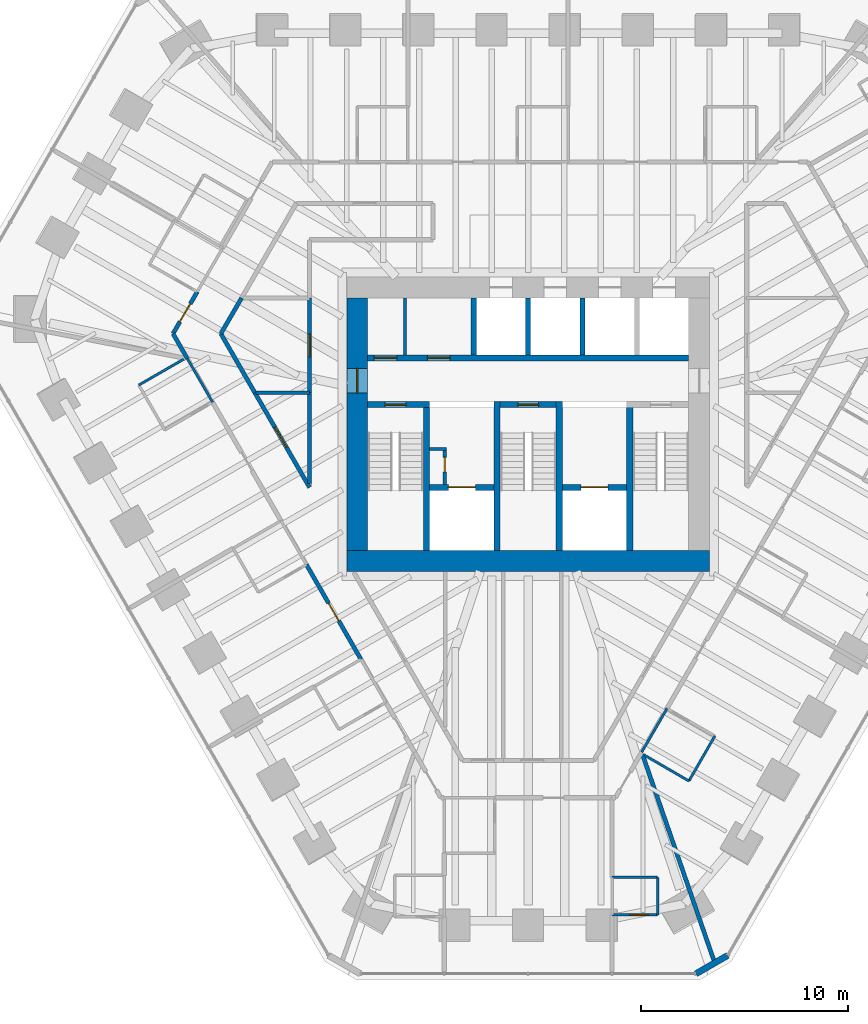
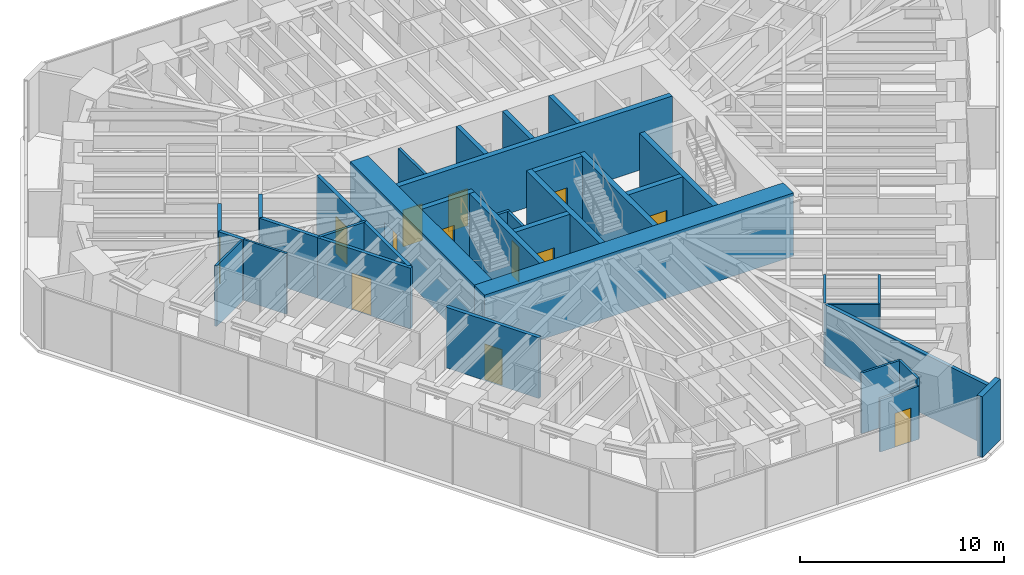
# One storey, part 12 of 16: 36 walls, 13 doors, 13 openings.
"""IFC4 building model written with IfcOpenShell, lengths in metres."""

from ifc_helpers import new_model, si_unit, direction, frame, frame_2d, origin, place, context, subcontext, project, spatial, rectangle, extrude, material, layer, layer_set, type_object, element, fill, save


model = new_model("IFC4")

# Units and contexts
model_context = context("Model", 3, precision=1e-05, world=origin(), true_north=direction((0.0, 1.0)))
body_context = subcontext(model_context, "Body", "Model", "MODEL_VIEW")
ifc_project = project(units=[si_unit("LENGTHUNIT", "METRE"), si_unit("AREAUNIT", "SQUARE_METRE"), si_unit("VOLUMEUNIT", "CUBIC_METRE"), si_unit("PLANEANGLEUNIT", "RADIAN"), si_unit("MASSUNIT", "GRAM", prefix="KILO")], contexts=[model_context])

# Site, building, storey
site_placement = place(None, origin())
site = spatial("IfcSite", under=ifc_project, at=site_placement, CompositionType="ELEMENT")
building_placement = place(site_placement, origin())
building = spatial("IfcBuilding", under=site, at=building_placement, Name="Sandreach Pilgrim Tower", CompositionType="ELEMENT")
storey_placement = place(building_placement, frame((0.0, 0.0, 247.800048828125)))
storey = spatial("IfcBuildingStorey", under=building, at=storey_placement, Name="L62", CompositionType="ELEMENT", Elevation=247.800048828125)

# Walls
ifc_material_1 = material(Name="Gypsum board on steel studs", Category="steel")
ifc_layer_1 = layer(ifc_material_1, 0.14990234375)
ifc_layer_set_1 = layer_set([ifc_layer_1], Name="Back of house wall 150")
wall_type_1 = type_object("IfcWallType", Name="Back of house wall 150", PredefinedType="PARTITIONING", material=ifc_layer_set_1)
wall_1_placement = place(storey_placement, frame((-10.550048828125, 1.52001953125, 0.0), z_axis=(0.0, 0.0, 1.0), x_axis=(-1.0, 0.0, 0.0)))
element("IfcWall", 1, at=wall_1_placement, inside=storey, type_object=wall_type_1, Name="Back of house wall L62-035", PredefinedType="PARTITIONING", context=body_context, shape_type="SweptSolid", body=[
    extrude(rectangle(XDim=2.5849609375, YDim=0.14990234375, at=frame_2d((1.29248046875, 0.0))), origin(), (0.0, 0.0, 1.0), 3.639892578125),
])
wall_2_placement = place(storey_placement, frame((-5.949951171875, 3.35009765625, 0.0), z_axis=(0.0, 0.0, 1.0), x_axis=(0.0, 1.0, 0.0)))
element("IfcWall", 2, at=wall_2_placement, inside=storey, type_object=wall_type_1, Name="Core room partition L62 1", PredefinedType="PARTITIONING", context=body_context, shape_type="SweptSolid", body=[
    extrude(rectangle(XDim=2.75, YDim=0.14990234375, at=frame_2d((1.375, 0.0))), origin(), (0.0, 0.0, 1.0), 3.639892578125),
])
ifc_material_2 = material(Name="Moisture-resistant gypsum board on steel studs", Category="steel")
ifc_layer_2 = layer(ifc_material_2, 0.1201171875)
ifc_layer_set_2 = layer_set([ifc_layer_2], Name="Bathroom partition 120")
wall_type_2 = type_object("IfcWallType", Name="Bathroom partition 120", PredefinedType="PARTITIONING", material=ifc_layer_set_2)
wall_3_placement = place(storey_placement, frame((-16.623779296875, 3.1376953125, 0.0), z_axis=(0.0, 0.0, 1.0), x_axis=(-0.866525185869, -0.499133351175, 0.0)))
element("IfcWall", 3, at=wall_3_placement, inside=storey, type_object=wall_type_2, Name="Bathroom partition L62-012", PredefinedType="PARTITIONING", context=body_context, shape_type="SweptSolid", body=[
    extrude(rectangle(XDim=2.5, YDim=0.1201171875, at=frame_2d((1.25, 0.0))), origin(), (0.0, 0.0, 1.0), 3.639892578125),
])
wall_4_placement = place(storey_placement, frame((-16.449951171875, 3.169921875, 0.0), z_axis=(0.0, 0.0, 1.0), x_axis=(0.500566296323, -0.865698205488, 0.0)))
element("IfcWall", 4, at=wall_4_placement, inside=storey, type_object=wall_type_2, Name="Bathroom partition L62-013", PredefinedType="PARTITIONING", context=body_context, shape_type="SweptSolid", body=[
    extrude(rectangle(XDim=2.437255859375, YDim=0.1201171875, at=frame_2d((1.21875, 0.0))), origin(), (0.0, 0.0, 1.0), 3.639892578125),
])

# Wall, opening, door
wall_5_placement = place(storey_placement, frame((4.050048828125, -23.679931640625, 0.0), z_axis=(0.0, 0.0, 1.0), x_axis=(1.0, 0.0, 0.0)))
wall_5 = element("IfcWall", 5, at=wall_5_placement, inside=storey, type_object=wall_type_2, Name="Bathroom partition L62-082", PredefinedType="PARTITIONING", context=body_context, shape_type="SweptSolid", body=[
    extrude(rectangle(XDim=2.199951171875, YDim=0.1201171875, at=frame_2d((1.10009765625, 0.0))), origin(), (0.0, 0.0, 1.0), 3.185302734375),
])
opening_1_placement = place(wall_5_placement, frame((0.85009765625, 0.0, 0.0)))
opening_1 = element("IfcOpeningElement", 6, at=opening_1_placement, cuts=wall_5, Name="Opening D09-10B", PredefinedType="OPENING", context=body_context, shape_type="SweptSolid", body=[
    extrude(rectangle(XDim=0.89990234375, YDim=2.030029296875, at=frame_2d((0.449951171875, 1.01513671875))), frame((0.0, 0.06005859375, 0.0), z_axis=(0.0, -1.0, 0.0), x_axis=(1.0, 0.0, 0.0)), (0.0, 0.0, 1.0), 0.1201171875),
])
ifc_material_3 = material(Name="Timber door, steel frame", Category="steel")
door_type_1 = type_object("IfcDoorType", Name="Bathroom door", OperationType="SINGLE_SWING_LEFT", PredefinedType="DOOR", material=ifc_material_3)
door_1_placement = place(opening_1_placement, origin())
door_1 = element("IfcDoor", 7, at=door_1_placement, inside=storey, type_object=door_type_1, Name="Door 6210B", OperationType="SINGLE_SWING_RIGHT", OverallHeight=2.030029296875, OverallWidth=0.89990234375, PredefinedType="DOOR", context=body_context, shape_type="SweptSolid", body=[
    extrude(rectangle(XDim=0.89990234375, YDim=2.030029296875, at=frame_2d((0.449951171875, 1.01513671875))), frame((0.0, 0.02490234375, 0.0), z_axis=(0.0, -1.0, 0.0), x_axis=(1.0, 0.0, 0.0)), (0.0, 0.0, 1.0), 0.050048828125),
])
fill(opening_1, door_1)

# Walls
wall_6_placement = place(storey_placement, frame((5.47998046875, -15.830078125, 0.0), z_axis=(0.0, 0.0, 1.0), x_axis=(0.501296828005, 0.865275384044, 0.0)))
element("IfcWall", 8, at=wall_6_placement, inside=storey, type_object=wall_type_2, Name="Bathroom partition L62-086", PredefinedType="PARTITIONING", context=body_context, shape_type="SweptSolid", body=[
    extrude(rectangle(XDim=2.4375, YDim=0.1201171875, at=frame_2d((1.21875, 0.0))), origin(), (0.0, 0.0, 1.0), 3.639892578125),
])
wall_7_placement = place(storey_placement, frame((5.615234375, -15.97509765625, 0.0), z_axis=(0.0, 0.0, 1.0), x_axis=(0.864873056518, -0.501990633487, 0.0)))
element("IfcWall", 9, at=wall_7_placement, inside=storey, type_object=wall_type_2, Name="Bathroom partition L62-088", PredefinedType="PARTITIONING", context=body_context, shape_type="SweptSolid", body=[
    extrude(rectangle(XDim=2.47998046875, YDim=0.1201171875, at=frame_2d((1.239990234375, 0.0))), origin(), (0.0, 0.0, 1.0), 3.639892578125),
])
wall_8_placement = place(storey_placement, frame((6.25, -23.679931640625, 0.0), z_axis=(0.0, 0.0, 1.0), x_axis=(0.0, 1.0, 0.0)))
element("IfcWall", 10, at=wall_8_placement, inside=storey, type_object=wall_type_2, Name="Bathroom partition L62-089", PredefinedType="PARTITIONING", context=body_context, shape_type="SweptSolid", body=[
    extrude(rectangle(XDim=1.809814453125, YDim=0.1201171875, at=frame_2d((0.90478515625, 0.0))), origin(), (0.0, 0.0, 1.0), 3.639892578125),
])
wall_9_placement = place(storey_placement, frame((6.25, -21.8701171875, 0.0), z_axis=(0.0, 0.0, 1.0), x_axis=(-1.0, 0.0, 0.0)))
element("IfcWall", 11, at=wall_9_placement, inside=storey, type_object=wall_type_2, Name="Bathroom partition L62-090", PredefinedType="PARTITIONING", context=body_context, shape_type="SweptSolid", body=[
    extrude(rectangle(XDim=2.199951171875, YDim=0.1201171875, at=frame_2d((1.10009765625, 0.0))), origin(), (0.0, 0.0, 1.0), 3.639892578125),
])
wall_10_placement = place(storey_placement, frame((7.760009765625, -17.219970703125, 0.0), z_axis=(0.0, 0.0, 1.0), x_axis=(0.499159685399, 0.866510016372, 0.0)))
element("IfcWall", 12, at=wall_10_placement, inside=storey, type_object=wall_type_2, Name="Bathroom partition L62-092", PredefinedType="PARTITIONING", context=body_context, shape_type="SweptSolid", body=[
    extrude(rectangle(XDim=2.504150390625, YDim=0.1201171875, at=frame_2d((1.251953125, 0.0))), origin(), (0.0, 0.0, 1.0), 3.639892578125),
])
ifc_material_4 = material(Name="Concrete 10000 psi", Category="concrete")
ifc_layer_3 = layer(ifc_material_4, 0.300048828125)
ifc_layer_set_3 = layer_set([ifc_layer_3], Name="Core inner wall 300")
wall_type_3 = type_object("IfcWallType", Name="Core inner wall 300", PredefinedType="SHEAR", material=ifc_layer_set_3)
for number, where, z_axis, x_axis, name in (
    (13, (-4.89990234375, -6.10009765625, 0.0), (0.0, 0.0, 1.0), (0.0, 1.0, 0.0), "Core wall I0 L62"),
    (14, (-1.5, -6.10009765625, 0.0), (0.0, 0.0, 1.0), (0.0, 1.0, 0.0), "Core wall I1 L62"),
    (15, (1.5, -6.10009765625, 0.0), (0.0, 0.0, 1.0), (0.0, 1.0, 0.0), "Core wall I2 L62"),
    (16, (4.89990234375, -6.10009765625, 0.0), (0.0, 0.0, 1.0), (0.0, 1.0, 0.0), "Core wall I3 L62"),
):
    element("IfcWall", number, at=place(storey_placement, frame(where, z_axis=z_axis, x_axis=x_axis)), inside=storey, type_object=wall_type_3, Name=name, PredefinedType="SHEAR", context=body_context, shape_type="SweptSolid", body=[
        extrude(rectangle(XDim=7.2001953125, YDim=0.300048828125, at=frame_2d((3.60009765625, 0.0))), origin(), (0.0, 0.0, 1.0), 3.800048828125),
    ])

# Wall, opening, door
wall_11_placement = place(storey_placement, frame((-7.75, 0.949951171875, 0.0), z_axis=(0.0, 0.0, 1.0), x_axis=(1.0, 0.0, 0.0)))
wall_11 = element("IfcWall", 17, at=wall_11_placement, inside=storey, type_object=wall_type_3, Name="Core wall SN1 L62", PredefinedType="SHEAR", context=body_context, shape_type="SweptSolid", body=[
    extrude(rectangle(XDim=3.0, YDim=0.300048828125, at=frame_2d((1.5, 0.0))), origin(), (0.0, 0.0, 1.0), 3.800048828125),
])
opening_2_placement = place(wall_11_placement, frame((0.85009765625, 0.0, 0.0)))
opening_2 = element("IfcOpeningElement", 18, at=opening_2_placement, cuts=wall_11, Name="Opening D10S-ST1", PredefinedType="OPENING", context=body_context, shape_type="SweptSolid", body=[
    extrude(rectangle(XDim=1.0, YDim=2.199951171875, at=frame_2d((0.5, 1.10009765625))), frame((0.0, 0.14990234375, 0.0), z_axis=(0.0, -1.0, 0.0), x_axis=(1.0, 0.0, 0.0)), (0.0, 0.0, 1.0), 0.300048828125),
])
ifc_material_5 = material(Name="Steel door and frame", Category="steel")
door_type_2 = type_object("IfcDoorType", Name="Stair door", OperationType="SINGLE_SWING_LEFT", PredefinedType="DOOR", material=ifc_material_5)
door_2_placement = place(opening_2_placement, origin())
door_2 = element("IfcDoor", 19, at=door_2_placement, inside=storey, type_object=door_type_2, Name="Stair door ST1 L62", OperationType="SINGLE_SWING_LEFT", OverallHeight=2.199951171875, OverallWidth=1.0, PredefinedType="DOOR", context=body_context, shape_type="SweptSolid", body=[
    extrude(rectangle(XDim=1.0, YDim=2.199951171875, at=frame_2d((0.5, 1.10009765625))), frame((0.0, 0.02490234375, 0.0), z_axis=(0.0, -1.0, 0.0), x_axis=(1.0, 0.0, 0.0)), (0.0, 0.0, 1.0), 0.050048828125),
])
fill(opening_2, door_2)

wall_12_placement = place(storey_placement, frame((-1.35009765625, 0.949951171875, 0.0), z_axis=(0.0, 0.0, 1.0), x_axis=(1.0, 0.0, 0.0)))
wall_12 = element("IfcWall", 20, at=wall_12_placement, inside=storey, type_object=wall_type_3, Name="Core wall SN3 L62", PredefinedType="SHEAR", context=body_context, shape_type="SweptSolid", body=[
    extrude(rectangle(XDim=2.7001953125, YDim=0.300048828125, at=frame_2d((1.35009765625, 0.0))), origin(), (0.0, 0.0, 1.0), 3.800048828125),
])
opening_3_placement = place(wall_12_placement, frame((0.85009765625, 0.0, 0.0)))
opening_3 = element("IfcOpeningElement", 21, at=opening_3_placement, cuts=wall_12, Name="Opening D10S-ST3", PredefinedType="OPENING", context=body_context, shape_type="SweptSolid", body=[
    extrude(rectangle(XDim=1.0, YDim=2.199951171875, at=frame_2d((0.5, 1.10009765625))), frame((0.0, 0.14990234375, 0.0), z_axis=(0.0, -1.0, 0.0), x_axis=(1.0, 0.0, 0.0)), (0.0, 0.0, 1.0), 0.300048828125),
])
door_3_placement = place(opening_3_placement, origin())
door_3 = element("IfcDoor", 22, at=door_3_placement, inside=storey, type_object=door_type_2, Name="Stair door ST3 L62", OperationType="SINGLE_SWING_LEFT", OverallHeight=2.199951171875, OverallWidth=1.0, PredefinedType="DOOR", context=body_context, shape_type="SweptSolid", body=[
    extrude(rectangle(XDim=1.0, YDim=2.199951171875, at=frame_2d((0.5, 1.10009765625))), frame((0.0, 0.02490234375, 0.0), z_axis=(0.0, -1.0, 0.0), x_axis=(1.0, 0.0, 0.0)), (0.0, 0.0, 1.0), 0.050048828125),
])
fill(opening_3, door_3)

wall_13_placement = place(storey_placement, frame((-4.75, -3.050048828125, 0.0), z_axis=(0.0, 0.0, 1.0), x_axis=(1.0, 0.0, 0.0)))
wall_13 = element("IfcWall", 23, at=wall_13_placement, inside=storey, type_object=wall_type_3, Name="Core wall FL1 L62", PredefinedType="SHEAR", context=body_context, shape_type="SweptSolid", body=[
    extrude(rectangle(XDim=3.10009765625, YDim=0.300048828125, at=frame_2d((1.550048828125, 0.0))), origin(), (0.0, 0.0, 1.0), 3.800048828125),
])
opening_4_placement = place(wall_13_placement, frame((0.89990234375, 0.0, 0.0)))
opening_4 = element("IfcOpeningElement", 24, at=opening_4_placement, cuts=wall_13, Name="Opening LD13", PredefinedType="OPENING", context=body_context, shape_type="SweptSolid", body=[
    extrude(rectangle(XDim=1.300048828125, YDim=2.10009765625, at=frame_2d((0.64990234375, 1.050048828125))), frame((0.0, 0.14990234375, 0.0), z_axis=(0.0, -1.0, 0.0), x_axis=(1.0, 0.0, 0.0)), (0.0, 0.0, 1.0), 0.300048828125),
])
ifc_material_6 = material(Name="Steel door and frame", Category="steel")
door_type_3 = type_object("IfcDoorType", Name="Fire service lift landing door", OperationType="DOUBLE_DOOR_SLIDING", PredefinedType="DOOR", material=ifc_material_6)
door_4_placement = place(opening_4_placement, origin())
door_4 = element("IfcDoor", 25, at=door_4_placement, inside=storey, type_object=door_type_3, Name="Lift landing door FS1 L62", OperationType="DOUBLE_DOOR_SLIDING", OverallHeight=2.10009765625, OverallWidth=1.300048828125, PredefinedType="DOOR", context=body_context, shape_type="SweptSolid", body=[
    extrude(rectangle(XDim=1.300048828125, YDim=2.10009765625, at=frame_2d((0.64990234375, 1.050048828125))), frame((0.0, 0.02490234375, 0.0), z_axis=(0.0, -1.0, 0.0), x_axis=(1.0, 0.0, 0.0)), (0.0, 0.0, 1.0), 0.050048828125),
])
fill(opening_4, door_4)

wall_14_placement = place(storey_placement, frame((1.64990234375, -3.050048828125, 0.0), z_axis=(0.0, 0.0, 1.0), x_axis=(1.0, 0.0, 0.0)))
wall_14 = element("IfcWall", 26, at=wall_14_placement, inside=storey, type_object=wall_type_3, Name="Core wall FL2 L62", PredefinedType="SHEAR", context=body_context, shape_type="SweptSolid", body=[
    extrude(rectangle(XDim=3.10009765625, YDim=0.300048828125, at=frame_2d((1.550048828125, 0.0))), origin(), (0.0, 0.0, 1.0), 3.800048828125),
])
opening_5_placement = place(wall_14_placement, frame((0.89990234375, 0.0, 0.0)))
opening_5 = element("IfcOpeningElement", 27, at=opening_5_placement, cuts=wall_14, Name="Opening LD13", PredefinedType="OPENING", context=body_context, shape_type="SweptSolid", body=[
    extrude(rectangle(XDim=1.300048828125, YDim=2.10009765625, at=frame_2d((0.64990234375, 1.050048828125))), frame((0.0, 0.14990234375, 0.0), z_axis=(0.0, -1.0, 0.0), x_axis=(1.0, 0.0, 0.0)), (0.0, 0.0, 1.0), 0.300048828125),
])
door_5_placement = place(opening_5_placement, origin())
door_5 = element("IfcDoor", 28, at=door_5_placement, inside=storey, type_object=door_type_3, Name="Lift landing door FS2 L62", OperationType="DOUBLE_DOOR_SLIDING", OverallHeight=2.10009765625, OverallWidth=1.300048828125, PredefinedType="DOOR", context=body_context, shape_type="SweptSolid", body=[
    extrude(rectangle(XDim=1.300048828125, YDim=2.10009765625, at=frame_2d((0.64990234375, 1.050048828125))), frame((0.0, 0.02490234375, 0.0), z_axis=(0.0, -1.0, 0.0), x_axis=(1.0, 0.0, 0.0)), (0.0, 0.0, 1.0), 0.050048828125),
])
fill(opening_5, door_5)

# Wall, openings, doors
wall_15_placement = place(storey_placement, frame((-7.75, 3.199951171875, 0.0), z_axis=(0.0, 0.0, 1.0), x_axis=(1.0, 0.0, 0.0)))
wall_15 = element("IfcWall", 29, at=wall_15_placement, inside=storey, type_object=wall_type_3, Name="Core wall PN L62", PredefinedType="SHEAR", context=body_context, shape_type="SweptSolid", body=[
    extrude(rectangle(XDim=15.5, YDim=0.300048828125, at=frame_2d((7.75, 0.0))), origin(), (0.0, 0.0, 1.0), 3.800048828125),
])
opening_6_placement = place(wall_15_placement, frame((0.3125, 0.0, 0.0)))
opening_6 = element("IfcOpeningElement", 30, at=opening_6_placement, cuts=wall_15, Name="Opening D11L", PredefinedType="OPENING", context=body_context, shape_type="SweptSolid", body=[
    extrude(rectangle(XDim=1.10009765625, YDim=2.199951171875, at=frame_2d((0.550048828125, 1.10009765625))), frame((0.0, 0.14990234375, 0.0), z_axis=(0.0, -1.0, 0.0), x_axis=(1.0, 0.0, 0.0)), (0.0, 0.0, 1.0), 0.300048828125),
])
opening_7_placement = place(wall_15_placement, frame((2.887451171875, 0.0, 0.0)))
opening_7 = element("IfcOpeningElement", 31, at=opening_7_placement, cuts=wall_15, Name="Opening D11L", PredefinedType="OPENING", context=body_context, shape_type="SweptSolid", body=[
    extrude(rectangle(XDim=1.10009765625, YDim=2.199951171875, at=frame_2d((0.550048828125, 1.10009765625))), frame((0.0, 0.14990234375, 0.0), z_axis=(0.0, -1.0, 0.0), x_axis=(1.0, 0.0, 0.0)), (0.0, 0.0, 1.0), 0.300048828125),
])
ifc_material_7 = material(Name="Steel door and frame, smoke seals", Category="steel")
door_type_4 = type_object("IfcDoorType", Name="Core room door", OperationType="SINGLE_SWING_LEFT", PredefinedType="DOOR", material=ifc_material_7)
door_6_placement = place(opening_6_placement, origin())
door_6 = element("IfcDoor", 32, at=door_6_placement, inside=storey, type_object=door_type_4, Name="Door linen and housekeeping store 62K1", OperationType="SINGLE_SWING_LEFT", OverallHeight=2.199951171875, OverallWidth=1.10009765625, PredefinedType="DOOR", context=body_context, shape_type="SweptSolid", body=[
    extrude(rectangle(XDim=1.10009765625, YDim=2.199951171875, at=frame_2d((0.550048828125, 1.10009765625))), frame((0.0, 0.02490234375, 0.0), z_axis=(0.0, -1.0, 0.0), x_axis=(1.0, 0.0, 0.0)), (0.0, 0.0, 1.0), 0.050048828125),
])
fill(opening_6, door_6)
door_7_placement = place(opening_7_placement, origin())
door_7 = element("IfcDoor", 33, at=door_7_placement, inside=storey, type_object=door_type_4, Name="Door cleaners store 62K2", OperationType="SINGLE_SWING_LEFT", OverallHeight=2.199951171875, OverallWidth=1.10009765625, PredefinedType="DOOR", context=body_context, shape_type="SweptSolid", body=[
    extrude(rectangle(XDim=1.10009765625, YDim=2.199951171875, at=frame_2d((0.550048828125, 1.10009765625))), frame((0.0, 0.02490234375, 0.0), z_axis=(0.0, -1.0, 0.0), x_axis=(1.0, 0.0, 0.0)), (0.0, 0.0, 1.0), 0.050048828125),
])
fill(opening_7, door_7)

# Wall
ifc_material_8 = material(Name="Concrete 10000 psi", Category="concrete")
ifc_layer_4 = layer(ifc_material_8, 1.0)
ifc_layer_set_4 = layer_set([ifc_layer_4], Name="Core wall 1000")
wall_type_4 = type_object("IfcWallType", Name="Core wall 1000", PredefinedType="SHEAR", material=ifc_layer_set_4)
wall_16_placement = place(storey_placement, frame((-8.75, -6.60009765625, 0.0), z_axis=(0.0, 0.0, 1.0), x_axis=(1.0, 0.0, 0.0)))
element("IfcWall", 34, at=wall_16_placement, inside=storey, type_object=wall_type_4, Name="Core wall S L62", PredefinedType="SHEAR", context=body_context, shape_type="SweptSolid", body=[
    extrude(rectangle(XDim=17.5, YDim=1.0, at=frame_2d((8.75, 0.0))), origin(), (0.0, 0.0, 1.0), 3.800048828125),
])

# Wall, opening, door
wall_17_placement = place(storey_placement, frame((-8.25, -6.10009765625, 0.0), z_axis=(0.0, 0.0, 1.0), x_axis=(0.0, 1.0, 0.0)))
wall_17 = element("IfcWall", 35, at=wall_17_placement, inside=storey, type_object=wall_type_4, Name="Core wall W L62", PredefinedType="SHEAR", context=body_context, shape_type="SweptSolid", body=[
    extrude(rectangle(XDim=12.2001953125, YDim=1.0, at=frame_2d((6.10009765625, 0.0))), origin(), (0.0, 0.0, 1.0), 3.800048828125),
])
opening_8_placement = place(wall_17_placement, frame((7.60009765625, 0.0, 0.0)))
opening_8 = element("IfcOpeningElement", 36, at=opening_8_placement, cuts=wall_17, Name="Opening D12F-W", PredefinedType="OPENING", context=body_context, shape_type="SweptSolid", body=[
    extrude(rectangle(XDim=1.199951171875, YDim=2.199951171875, at=frame_2d((0.60009765625, 1.10009765625))), frame((0.0, 0.5, 0.0), z_axis=(0.0, -1.0, 0.0), x_axis=(1.0, 0.0, 0.0)), (0.0, 0.0, 1.0), 1.0),
])
ifc_material_9 = material(Name="Steel door and frame", Category="steel")
door_type_5 = type_object("IfcDoorType", Name="Fire lobby door", OperationType="SINGLE_SWING_LEFT", PredefinedType="DOOR", material=ifc_material_9)
door_8_placement = place(opening_8_placement, origin())
door_8 = element("IfcDoor", 37, at=door_8_placement, inside=storey, type_object=door_type_5, Name="Fire service lobby door W L62", OperationType="SINGLE_SWING_RIGHT", OverallHeight=2.199951171875, OverallWidth=1.199951171875, PredefinedType="DOOR", context=body_context, shape_type="SweptSolid", body=[
    extrude(rectangle(XDim=1.199951171875, YDim=2.199951171875, at=frame_2d((0.60009765625, 1.10009765625))), frame((0.0, 0.02490234375, 0.0), z_axis=(0.0, -1.0, 0.0), x_axis=(1.0, 0.0, 0.0)), (0.0, 0.0, 1.0), 0.050048828125),
])
fill(opening_8, door_8)

# Wall
ifc_material_10 = material(Name="Gypsum board on steel studs, two layers each side", Category="steel")
ifc_layer_5 = layer(ifc_material_10, 0.199951171875)
ifc_layer_set_5 = layer_set([ifc_layer_5], Name="Corridor wall 200")
wall_type_5 = type_object("IfcWallType", Name="Corridor wall 200", PredefinedType="PARTITIONING", material=ifc_layer_set_5)
wall_18_placement = place(storey_placement, frame((-17.139892578125, 4.3701171875, 0.0), z_axis=(0.0, 0.0, 1.0), x_axis=(0.498378346744, -0.866959643522, 0.0)))
element("IfcWall", 38, at=wall_18_placement, inside=storey, type_object=wall_type_5, Name="Corridor wall L62-007", PredefinedType="PARTITIONING", context=body_context, shape_type="SweptSolid", body=[
    extrude(rectangle(XDim=1.38427734375, YDim=0.199951171875, at=frame_2d((0.692138671875, 0.0))), origin(), (0.0, 0.0, 1.0), 3.639892578125),
])

# Wall, opening, door
wall_19_placement = place(storey_placement, frame((-17.139892578125, 4.3701171875, 0.0), z_axis=(0.0, 0.0, 1.0), x_axis=(0.501176435338, 0.865345122285, 0.0)))
wall_19 = element("IfcWall", 39, at=wall_19_placement, inside=storey, type_object=wall_type_5, Name="Corridor wall L62-008", PredefinedType="PARTITIONING", context=body_context, shape_type="SweptSolid", body=[
    extrude(rectangle(XDim=2.33447265625, YDim=0.199951171875, at=frame_2d((1.167236328125, 0.0))), origin(), (0.0, 0.0, 1.0), 3.639892578125),
])
opening_9_placement = place(wall_19_placement, frame((0.667236328125, 0.0, 0.0)))
opening_9 = element("IfcOpeningElement", 40, at=opening_9_placement, cuts=wall_19, Name="Opening D10-16", PredefinedType="OPENING", context=body_context, shape_type="SweptSolid", body=[
    extrude(rectangle(XDim=1.0, YDim=2.1298828125, at=frame_2d((0.5, 1.06494140625))), frame((0.0, 0.10009765625, 0.0), z_axis=(0.0, -1.0, 0.0), x_axis=(1.0, 0.0, 0.0)), (0.0, 0.0, 1.0), 0.199951171875),
])
ifc_material_11 = material(Name="Steel door and frame", Category="steel")
door_type_6 = type_object("IfcDoorType", Name="Guest room entry door", OperationType="SINGLE_SWING_LEFT", PredefinedType="DOOR", material=ifc_material_11)
door_9_placement = place(opening_9_placement, origin())
door_9 = element("IfcDoor", 41, at=door_9_placement, inside=storey, type_object=door_type_6, Name="Door 6216", OperationType="SINGLE_SWING_LEFT", OverallHeight=2.1298828125, OverallWidth=1.0, PredefinedType="DOOR", context=body_context, shape_type="SweptSolid", body=[
    extrude(rectangle(XDim=1.0, YDim=2.1298828125, at=frame_2d((0.5, 1.06494140625))), frame((0.0, 0.02490234375, 0.0), z_axis=(0.0, -1.0, 0.0), x_axis=(1.0, 0.0, 0.0)), (0.0, 0.0, 1.0), 0.050048828125),
])
fill(opening_9, door_9)

# Walls
wall_20_placement = place(storey_placement, frame((-14.830078125, 4.3701171875, 0.0), z_axis=(0.0, 0.0, 1.0), x_axis=(0.502626855825, 0.864503466623, 0.0)))
element("IfcWall", 42, at=wall_20_placement, inside=storey, type_object=wall_type_5, Name="Corridor wall L62-019", PredefinedType="PARTITIONING", context=body_context, shape_type="SweptSolid", body=[
    extrude(rectangle(XDim=1.989501953125, YDim=0.199951171875, at=frame_2d((0.99462890625, 0.0))), origin(), (0.0, 0.0, 1.0), 3.639892578125),
])
wall_21_placement = place(storey_placement, frame((-13.18994140625, 1.52001953125, 0.0), z_axis=(0.0, 0.0, 1.0), x_axis=(-0.498775186059, 0.866731396554, 0.0)))
element("IfcWall", 43, at=wall_21_placement, inside=storey, type_object=wall_type_5, Name="Corridor wall L62-027", PredefinedType="PARTITIONING", context=body_context, shape_type="SweptSolid", body=[
    extrude(rectangle(XDim=3.288330078125, YDim=0.199951171875, at=frame_2d((1.64404296875, 0.0))), origin(), (0.0, 0.0, 1.0), 3.639892578125),
])

# Wall, opening, door
wall_22_placement = place(storey_placement, frame((-10.699951171875, -6.780029296875, 0.0), z_axis=(0.0, 0.0, 1.0), x_axis=(0.49876948316, -0.866734678358, 0.0)))
wall_22 = element("IfcWall", 44, at=wall_22_placement, inside=storey, type_object=wall_type_5, Name="Corridor wall L62-033", PredefinedType="PARTITIONING", context=body_context, shape_type="SweptSolid", body=[
    extrude(rectangle(XDim=5.272705078125, YDim=0.199951171875, at=frame_2d((2.63623046875, 0.0))), origin(), (0.0, 0.0, 1.0), 3.639892578125),
])
opening_10_placement = place(wall_22_placement, frame((2.136474609375, 0.0, 0.0)))
opening_10 = element("IfcOpeningElement", 45, at=opening_10_placement, cuts=wall_22, Name="Opening D10-14", PredefinedType="OPENING", context=body_context, shape_type="SweptSolid", body=[
    extrude(rectangle(XDim=1.0, YDim=2.1298828125, at=frame_2d((0.5, 1.06494140625))), frame((0.0, 0.10009765625, 0.0), z_axis=(0.0, -1.0, 0.0), x_axis=(1.0, 0.0, 0.0)), (0.0, 0.0, 1.0), 0.199951171875),
])
door_10_placement = place(opening_10_placement, origin())
door_10 = element("IfcDoor", 46, at=door_10_placement, inside=storey, type_object=door_type_6, Name="Door 6214", OperationType="SINGLE_SWING_LEFT", OverallHeight=2.1298828125, OverallWidth=1.0, PredefinedType="DOOR", context=body_context, shape_type="SweptSolid", body=[
    extrude(rectangle(XDim=1.0, YDim=2.1298828125, at=frame_2d((0.5, 1.06494140625))), frame((0.0, 0.02490234375, 0.0), z_axis=(0.0, -1.0, 0.0), x_axis=(1.0, 0.0, 0.0)), (0.0, 0.0, 1.0), 0.050048828125),
])
fill(opening_10, door_10)

wall_23_placement = place(storey_placement, frame((-10.550048828125, -3.050048828125, 0.0), z_axis=(0.0, 0.0, 1.0), x_axis=(-0.500193590286, 0.865913605527, 0.0)))
wall_23 = element("IfcWall", 47, at=wall_23_placement, inside=storey, type_object=wall_type_5, Name="Corridor wall L62-034", PredefinedType="PARTITIONING", context=body_context, shape_type="SweptSolid", body=[
    extrude(rectangle(XDim=5.27783203125, YDim=0.199951171875, at=frame_2d((2.638916015625, 0.0))), origin(), (0.0, 0.0, 1.0), 3.639892578125),
])
opening_11_placement = place(wall_23_placement, frame((2.25, 0.0, 0.0)))
opening_11 = element("IfcOpeningElement", 48, at=opening_11_placement, cuts=wall_23, Name="Opening D11H-M02", PredefinedType="OPENING", context=body_context, shape_type="SweptSolid", body=[
    extrude(rectangle(XDim=1.10009765625, YDim=2.199951171875, at=frame_2d((0.550048828125, 1.10009765625))), frame((0.0, 0.10009765625, 0.0), z_axis=(0.0, -1.0, 0.0), x_axis=(1.0, 0.0, 0.0)), (0.0, 0.0, 1.0), 0.199951171875),
])
ifc_material_12 = material(Name="Steel door and frame", Category="steel")
door_type_7 = type_object("IfcDoorType", Name="Back of house door", OperationType="SINGLE_SWING_LEFT", PredefinedType="DOOR", material=ifc_material_12)
door_11_placement = place(opening_11_placement, origin())
door_11 = element("IfcDoor", 49, at=door_11_placement, inside=storey, type_object=door_type_7, Name="Door 62M02", OperationType="SINGLE_SWING_RIGHT", OverallHeight=2.199951171875, OverallWidth=1.10009765625, PredefinedType="DOOR", context=body_context, shape_type="SweptSolid", body=[
    extrude(rectangle(XDim=1.10009765625, YDim=2.199951171875, at=frame_2d((0.550048828125, 1.10009765625))), frame((0.0, 0.02490234375, 0.0), z_axis=(0.0, -1.0, 0.0), x_axis=(1.0, 0.0, 0.0)), (0.0, 0.0, 1.0), 0.050048828125),
])
fill(opening_11, door_11)

# Wall
wall_24_placement = place(storey_placement, frame((-10.550048828125, 1.52001953125, 0.0), z_axis=(0.0, 0.0, 1.0), x_axis=(0.0, -1.0, 0.0)))
element("IfcWall", 50, at=wall_24_placement, inside=storey, type_object=wall_type_5, Name="Corridor wall L62-036", PredefinedType="PARTITIONING", context=body_context, shape_type="SweptSolid", body=[
    extrude(rectangle(XDim=4.375, YDim=0.199951171875, at=frame_2d((2.1875, 0.0))), origin(), (0.0, 0.0, 1.0), 3.639892578125),
])

# Wall, opening, door
wall_25_placement = place(storey_placement, frame((-10.550048828125, 6.090087890625, 0.0), z_axis=(0.0, 0.0, 1.0), x_axis=(0.0, -1.0, 0.0)))
wall_25 = element("IfcWall", 51, at=wall_25_placement, inside=storey, type_object=wall_type_5, Name="Corridor wall L62-037", PredefinedType="PARTITIONING", context=body_context, shape_type="SweptSolid", body=[
    extrude(rectangle(XDim=4.570068359375, YDim=0.199951171875, at=frame_2d((2.28515625, 0.0))), origin(), (0.0, 0.0, 1.0), 3.639892578125),
])
opening_12_placement = place(wall_25_placement, frame((1.735107421875, 0.0, 0.0)))
opening_12 = element("IfcOpeningElement", 52, at=opening_12_placement, cuts=wall_25, Name="Opening D11H-M01", PredefinedType="OPENING", context=body_context, shape_type="SweptSolid", body=[
    extrude(rectangle(XDim=1.10009765625, YDim=2.199951171875, at=frame_2d((0.550048828125, 1.10009765625))), frame((0.0, 0.10009765625, 0.0), z_axis=(0.0, -1.0, 0.0), x_axis=(1.0, 0.0, 0.0)), (0.0, 0.0, 1.0), 0.199951171875),
])
door_12_placement = place(opening_12_placement, origin())
door_12 = element("IfcDoor", 53, at=door_12_placement, inside=storey, type_object=door_type_7, Name="Door 62M01", OperationType="SINGLE_SWING_LEFT", OverallHeight=2.199951171875, OverallWidth=1.10009765625, PredefinedType="DOOR", context=body_context, shape_type="SweptSolid", body=[
    extrude(rectangle(XDim=1.10009765625, YDim=2.199951171875, at=frame_2d((0.550048828125, 1.10009765625))), frame((0.0, 0.02490234375, 0.0), z_axis=(0.0, -1.0, 0.0), x_axis=(1.0, 0.0, 0.0)), (0.0, 0.0, 1.0), 0.050048828125),
])
fill(opening_12, door_12)

# Wall
ifc_material_13 = material(Name="Double steel stud acoustic wall, gypsum board", Category="steel")
ifc_layer_6 = layer(ifc_material_13, 0.199951171875)
ifc_layer_set_6 = layer_set([ifc_layer_6], Name="Party wall 200")
wall_type_6 = type_object("IfcWallType", Name="Party wall 200", PredefinedType="PARTITIONING", material=ifc_layer_set_6)
wall_26_placement = place(storey_placement, frame((5.515380859375, -15.93212890625, 0.0), z_axis=(0.0, 0.0, 1.0), x_axis=(0.327594697431, -0.944818349851, 0.0)))
element("IfcWall", 54, at=wall_26_placement, inside=storey, type_object=wall_type_6, Name="Party wall L62-087", PredefinedType="PARTITIONING", context=body_context, shape_type="SweptSolid", body=[
    extrude(rectangle(XDim=10.668212890625, YDim=0.199951171875, at=frame_2d((5.333984375, 0.0))), origin(), (0.0, 0.0, 1.0), 3.639892578125),
])

# Wall, opening, door
ifc_material_14 = material(Name="Gypsum shaft wall on steel studs, shaft liner board", Category="steel")
ifc_layer_7 = layer(ifc_material_14, 0.14990234375)
ifc_layer_set_7 = layer_set([ifc_layer_7], Name="Riser shaft wall 150")
wall_type_7 = type_object("IfcWallType", Name="Riser shaft wall 150", PredefinedType="PARTITIONING", material=ifc_layer_set_7)
wall_27_placement = place(storey_placement, frame((-4.02490234375, -2.89990234375, 0.0), z_axis=(0.0, 0.0, 1.0), x_axis=(0.0, 1.0, 0.0)))
wall_27 = element("IfcWall", 55, at=wall_27_placement, inside=storey, type_object=wall_type_7, Name="Riser partition L62 side", PredefinedType="PARTITIONING", context=body_context, shape_type="SweptSolid", body=[
    extrude(rectangle(XDim=1.77490234375, YDim=0.14990234375, at=frame_2d((0.887451171875, 0.0))), origin(), (0.0, 0.0, 1.0), 3.639892578125),
])
opening_13_placement = place(wall_27_placement, frame((0.60009765625, 0.0, 0.0)))
opening_13 = element("IfcOpeningElement", 56, at=opening_13_placement, cuts=wall_27, Name="Opening D07R", PredefinedType="OPENING", context=body_context, shape_type="SweptSolid", body=[
    extrude(rectangle(XDim=0.699951171875, YDim=2.10009765625, at=frame_2d((0.35009765625, 1.050048828125))), frame((0.0, 0.074951171875, 0.0), z_axis=(0.0, -1.0, 0.0), x_axis=(1.0, 0.0, 0.0)), (0.0, 0.0, 1.0), 0.14990234375),
])
ifc_material_15 = material(Name="Steel door and frame, smoke seals", Category="steel")
door_type_8 = type_object("IfcDoorType", Name="Riser access door", OperationType="SINGLE_SWING_RIGHT", PredefinedType="DOOR", material=ifc_material_15)
door_13_placement = place(opening_13_placement, origin())
door_13 = element("IfcDoor", 57, at=door_13_placement, inside=storey, type_object=door_type_8, Name="Door riser 62ER", OperationType="SINGLE_SWING_RIGHT", OverallHeight=2.10009765625, OverallWidth=0.699951171875, PredefinedType="DOOR", context=body_context, shape_type="SweptSolid", body=[
    extrude(rectangle(XDim=0.699951171875, YDim=2.10009765625, at=frame_2d((0.35009765625, 1.050048828125))), frame((0.0, 0.02490234375, 0.0), z_axis=(0.0, -1.0, 0.0), x_axis=(1.0, 0.0, 0.0)), (0.0, 0.0, 1.0), 0.050048828125),
])
fill(opening_13, door_13)

# Walls
wall_28_placement = place(storey_placement, frame((-4.75, -1.199951171875, 0.0), z_axis=(0.0, 0.0, 1.0), x_axis=(1.0, 0.0, 0.0)))
element("IfcWall", 58, at=wall_28_placement, inside=storey, type_object=wall_type_7, Name="Riser partition L62 front", PredefinedType="PARTITIONING", context=body_context, shape_type="SweptSolid", body=[
    extrude(rectangle(XDim=0.800048828125, YDim=0.14990234375, at=frame_2d((0.39990234375, 0.0))), origin(), (0.0, 0.0, 1.0), 3.639892578125),
])
ifc_material_16 = material(Name="Gypsum shaft wall on steel studs, two layers of shaft liner board", Category="steel")
ifc_layer_8 = layer(ifc_material_16, 0.25)
ifc_layer_set_8 = layer_set([ifc_layer_8], Name="Shaft partition 250")
wall_type_8 = type_object("IfcWallType", Name="Shaft partition 250", PredefinedType="PARTITIONING", material=ifc_layer_set_8)
for number, where, z_axis, x_axis, name in (
    (59, (-2.625, 3.35009765625, 0.0), (0.0, 0.0, 1.0), (0.0, 1.0, 0.0), "Shaft partition NS1 L62"),
    (60, (0.0, 3.35009765625, 0.0), (0.0, 0.0, 1.0), (0.0, 1.0, 0.0), "Shaft partition NS2 L62"),
    (61, (2.625, 3.35009765625, 0.0), (0.0, 0.0, 1.0), (0.0, 1.0, 0.0), "Shaft partition NS3 L62"),
):
    element("IfcWall", number, at=place(storey_placement, frame(where, z_axis=z_axis, x_axis=x_axis)), inside=storey, type_object=wall_type_8, Name=name, PredefinedType="PARTITIONING", context=body_context, shape_type="SweptSolid", body=[
        extrude(rectangle(XDim=2.75, YDim=0.25, at=frame_2d((1.375, 0.0))), origin(), (0.0, 0.0, 1.0), 3.800048828125),
    ])
ifc_material_17 = material(Name="Terracotta rainscreen on concrete", Category="masonry")
ifc_layer_9 = layer(ifc_material_17, 0.300048828125)
ifc_layer_set_9 = layer_set([ifc_layer_9], Name="Terracotta chamfer pier")
wall_type_9 = type_object("IfcWallType", Name="Terracotta chamfer pier", PredefinedType="SOLIDWALL", material=ifc_layer_set_9)
wall_29_placement = place(storey_placement, frame((9.63037109375, -25.64013671875, 0.0), z_axis=(0.0, 0.0, 1.0), x_axis=(-0.866036293601, -0.499981137809, 0.0)))
element("IfcWall", 62, at=wall_29_placement, inside=storey, type_object=wall_type_9, Name="Chamfer pier L62 SE", PredefinedType="SOLIDWALL", context=body_context, shape_type="SweptSolid", body=[
    extrude(rectangle(XDim=1.77001953125, YDim=0.300048828125, at=frame_2d((0.885009765625, 0.0))), origin(), (0.0, 0.0, 1.0), 3.639892578125),
])

save(model, "model.ifc")
